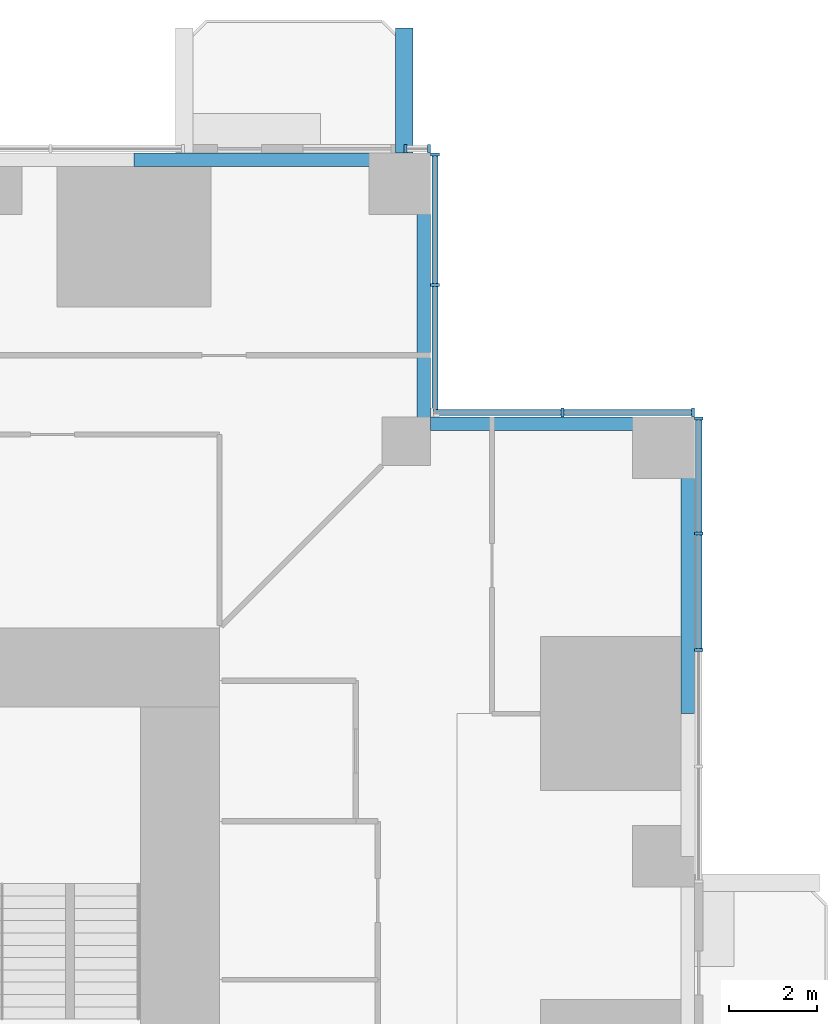
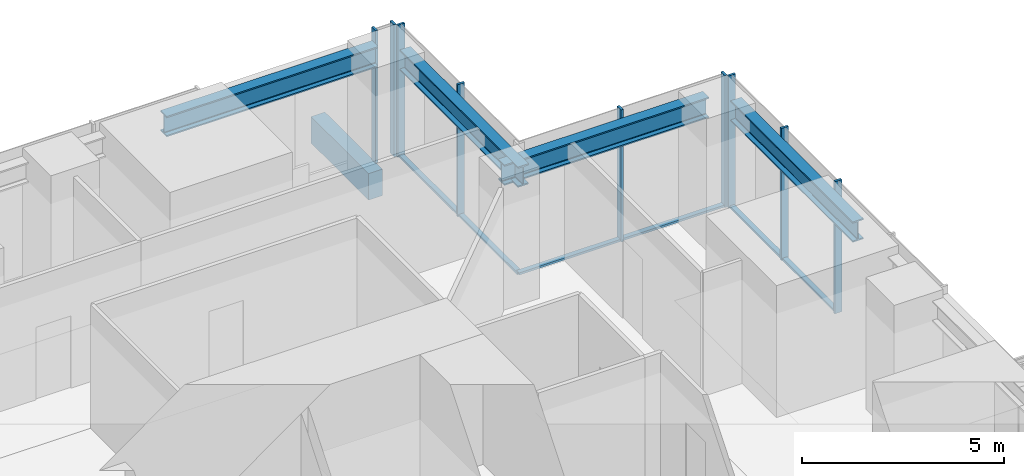
# One storey, part 6 of 18: 15 members, 5 beams, 4 elements without a shape of their own.
"""IFC4 building model written with IfcOpenShell, lengths in metres."""

from ifc_helpers import new_model, si_unit, direction, frame, origin, origin_2d, place, context, subcontext, project, spatial, rectangle, i_section, extrude, material, material_profile, profile_set, type_object, element, aggregate, save


model = new_model("IFC4")

# Units and contexts
model_context = context("Model", 3, precision=1e-05, world=origin(), true_north=direction((0.0, 1.0)))
body_context = subcontext(model_context, "Body", "Model", "MODEL_VIEW")
ifc_project = project(units=[si_unit("LENGTHUNIT", "METRE"), si_unit("AREAUNIT", "SQUARE_METRE"), si_unit("VOLUMEUNIT", "CUBIC_METRE"), si_unit("PLANEANGLEUNIT", "RADIAN"), si_unit("MASSUNIT", "GRAM", prefix="KILO")], contexts=[model_context])

# Site, building, storey
site_placement = place(None, origin())
site = spatial("IfcSite", under=ifc_project, at=site_placement, CompositionType="ELEMENT")
building_placement = place(site_placement, origin())
building = spatial("IfcBuilding", under=site, at=building_placement, Name="Svetlomir Tower", CompositionType="ELEMENT")
storey_placement = place(building_placement, frame((0.0, 0.0, 54.5)))
storey = spatial("IfcBuildingStorey", under=building, at=storey_placement, Name="L12", CompositionType="ELEMENT", Elevation=54.5)

# Beam
ifc_material_1 = material(Name="Concrete C60/75", Category="concrete")
ifc_material_profile_1 = material_profile(ifc_material_1, rectangle(XDim=0.39990234375, YDim=0.800048828125, at=origin_2d()), Name="RC 400x800")
ifc_profile_set_1 = profile_set([ifc_material_profile_1], Name="Concrete C60/75")
beam_type_1 = type_object("IfcBeamType", Name="BALCONY RIB RC 400x800", PredefinedType="BEAM", material=ifc_profile_set_1)
beam_placement = place(storey_placement, frame((35.39990234375, 42.0, -0.64990234375), z_axis=(0.0, 1.0, 0.0), x_axis=(-1.0, 0.0, 0.0)))
element("IfcBeam", 1, at=beam_placement, inside=storey, type_object=beam_type_1, Name="Balcony rib N 2 L12", PredefinedType="BEAM", context=body_context, shape_type="SweptSolid", body=[
    extrude(rectangle(XDim=0.39990234375, YDim=0.800048828125, at=origin_2d()), origin(), (0.0, 0.0, 1.0), 2.85009765625),
])

# Curtain wall, members
ifc_material_2 = material(Name="Bronze anodised aluminium curtain wall", Category="aluminium")
curtain_wall_type = type_object("IfcCurtainWallType", Name="CURTAIN WALL CW1 TOWER OFFICE", PredefinedType="NOTDEFINED", material=ifc_material_2)
curtain_wall_1_placement = place(storey_placement, origin())
curtain_wall_1 = element("IfcCurtainWall", 2, at=curtain_wall_1_placement, inside=storey, type_object=curtain_wall_type, Name="Curtain wall CW1 L12", PredefinedType="NOTDEFINED")
ifc_material_3 = material(Name="Bronze anodised aluminium", Category="aluminium")
ifc_material_profile_2 = material_profile(ifc_material_3, rectangle(XDim=0.06494140625, YDim=0.199951171875, at=origin_2d()), Name="AL 65x200")
ifc_profile_set_2 = profile_set([ifc_material_profile_2], Name="Bronze anodised aluminium 6063-T6")
member_type_1 = type_object("IfcMemberType", Name="CW1 MULLION 65x200", PredefinedType="MULLION", material=ifc_profile_set_2)
member_1_placement = place(storey_placement, frame((42.10009765625, 30.699951171875, 0.0), z_axis=(0.0, 0.0, 1.0), x_axis=(0.0, 1.0, 0.0)))
member_1 = element("IfcMember", 3, at=member_1_placement, type_object=member_type_1, Name="CW1 mullion 3", PredefinedType="MULLION", context=body_context, shape_type="SweptSolid", body=[
    extrude(rectangle(XDim=0.06494140625, YDim=0.199951171875, at=origin_2d()), origin(), (0.0, 0.0, 1.0), 4.0),
])
member_2_placement = place(storey_placement, frame((42.10009765625, 33.35009765625, 0.0), z_axis=(0.0, 0.0, 1.0), x_axis=(0.0, 1.0, 0.0)))
member_2 = element("IfcMember", 4, at=member_2_placement, type_object=member_type_1, Name="CW1 mullion 4", PredefinedType="MULLION", context=body_context, shape_type="SweptSolid", body=[
    extrude(rectangle(XDim=0.06494140625, YDim=0.199951171875, at=origin_2d()), origin(), (0.0, 0.0, 1.0), 4.0),
])
member_3_placement = place(storey_placement, frame((42.10009765625, 35.967529296875, 0.0), z_axis=(0.0, 0.0, 1.0), x_axis=(0.0, 1.0, 0.0)))
member_3 = element("IfcMember", 5, at=member_3_placement, type_object=member_type_1, Name="CW1 mullion 5", PredefinedType="MULLION", context=body_context, shape_type="SweptSolid", body=[
    extrude(rectangle(XDim=0.06494140625, YDim=0.199951171875, at=origin_2d()), origin(), (0.0, 0.0, 1.0), 4.0),
])

curtain_wall_2_placement = place(storey_placement, origin())
curtain_wall_2 = element("IfcCurtainWall", 6, at=curtain_wall_2_placement, inside=storey, type_object=curtain_wall_type, Name="Curtain wall CW1 L12", PredefinedType="NOTDEFINED")
member_4_placement = place(storey_placement, frame((41.967529296875, 36.10009765625, 0.0), z_axis=(0.0, 0.0, 1.0), x_axis=(-1.0, 0.0, 0.0)))
member_4 = element("IfcMember", 7, at=member_4_placement, type_object=member_type_1, Name="CW1 mullion 1", PredefinedType="MULLION", context=body_context, shape_type="SweptSolid", body=[
    extrude(rectangle(XDim=0.06494140625, YDim=0.199951171875, at=origin_2d()), origin(), (0.0, 0.0, 1.0), 4.0),
])
member_5_placement = place(storey_placement, frame((39.0, 36.10009765625, 0.0), z_axis=(0.0, 0.0, 1.0), x_axis=(-1.0, 0.0, 0.0)))
member_5 = element("IfcMember", 8, at=member_5_placement, type_object=member_type_1, Name="CW1 mullion 2", PredefinedType="MULLION", context=body_context, shape_type="SweptSolid", body=[
    extrude(rectangle(XDim=0.06494140625, YDim=0.199951171875, at=origin_2d()), origin(), (0.0, 0.0, 1.0), 4.0),
])

curtain_wall_3_placement = place(storey_placement, origin())
curtain_wall_3 = element("IfcCurtainWall", 9, at=curtain_wall_3_placement, inside=storey, type_object=curtain_wall_type, Name="Curtain wall CW1 L12", PredefinedType="NOTDEFINED")
member_6_placement = place(storey_placement, frame((36.10009765625, 39.0, 0.0), z_axis=(0.0, 0.0, 1.0), x_axis=(0.0, 1.0, 0.0)))
member_6 = element("IfcMember", 10, at=member_6_placement, type_object=member_type_1, Name="CW1 mullion 2", PredefinedType="MULLION", context=body_context, shape_type="SweptSolid", body=[
    extrude(rectangle(XDim=0.06494140625, YDim=0.199951171875, at=origin_2d()), origin(), (0.0, 0.0, 1.0), 4.0),
])
member_7_placement = place(storey_placement, frame((36.10009765625, 41.967529296875, 0.0), z_axis=(0.0, 0.0, 1.0), x_axis=(0.0, 1.0, 0.0)))
member_7 = element("IfcMember", 11, at=member_7_placement, type_object=member_type_1, Name="CW1 mullion 3", PredefinedType="MULLION", context=body_context, shape_type="SweptSolid", body=[
    extrude(rectangle(XDim=0.06494140625, YDim=0.199951171875, at=origin_2d()), origin(), (0.0, 0.0, 1.0), 4.0),
])

curtain_wall_4_placement = place(storey_placement, origin())
curtain_wall_4 = element("IfcCurtainWall", 12, at=curtain_wall_4_placement, inside=storey, type_object=curtain_wall_type, Name="Curtain wall CW1 L12", PredefinedType="NOTDEFINED")
member_8_placement = place(storey_placement, frame((35.967529296875, 42.10009765625, 0.0), z_axis=(0.0, 0.0, 1.0), x_axis=(-1.0, 0.0, 0.0)))
member_8 = element("IfcMember", 13, at=member_8_placement, type_object=member_type_1, Name="CW1 mullion 1", PredefinedType="MULLION", context=body_context, shape_type="SweptSolid", body=[
    extrude(rectangle(XDim=0.06494140625, YDim=0.199951171875, at=origin_2d()), origin(), (0.0, 0.0, 1.0), 4.0),
])
member_9_placement = place(storey_placement, frame((35.4326171875, 42.10009765625, 0.0), z_axis=(0.0, 0.0, 1.0), x_axis=(-1.0, 0.0, 0.0)))
member_9 = element("IfcMember", 14, at=member_9_placement, type_object=member_type_1, Name="CW1 mullion 2", PredefinedType="MULLION", context=body_context, shape_type="SweptSolid", body=[
    extrude(rectangle(XDim=0.06494140625, YDim=0.199951171875, at=origin_2d()), origin(), (0.0, 0.0, 1.0), 4.0),
])
aggregate(curtain_wall_4, [member_8, member_9])

# Member
ifc_material_4 = material(Name="Bronze anodised aluminium", Category="aluminium")
ifc_material_profile_3 = material_profile(ifc_material_4, rectangle(XDim=0.139892578125, YDim=0.06494140625, at=origin_2d()), Name="AL 140x65")
ifc_profile_set_3 = profile_set([ifc_material_profile_3], Name="Bronze anodised aluminium 6063-T6")
member_type_2 = type_object("IfcMemberType", Name="CW1 TRANSOM 65x140", PredefinedType="USERDEFINED", material=ifc_profile_set_3)
member_10_placement = place(storey_placement, frame((42.10009765625, 30.732421875, 0.032470703125), z_axis=(0.0, 1.0, 0.0), x_axis=(-1.0, 0.0, 0.0)))
member_10 = element("IfcMember", 15, at=member_10_placement, type_object=member_type_2, Name="CW1 transom 3.1", ObjectType="TRANSOM", PredefinedType="USERDEFINED", context=body_context, shape_type="SweptSolid", body=[
    extrude(rectangle(XDim=0.139892578125, YDim=0.06494140625, at=origin_2d()), origin(), (0.0, 0.0, 1.0), 2.5849609375),
])

member_11_placement = place(storey_placement, frame((42.10009765625, 33.382568359375, 0.032470703125), z_axis=(0.0, 1.0, 0.0), x_axis=(-1.0, 0.0, 0.0)))
member_11 = element("IfcMember", 16, at=member_11_placement, type_object=member_type_2, Name="CW1 transom 4.1", ObjectType="TRANSOM", PredefinedType="USERDEFINED", context=body_context, shape_type="SweptSolid", body=[
    extrude(rectangle(XDim=0.139892578125, YDim=0.06494140625, at=origin_2d()), origin(), (0.0, 0.0, 1.0), 2.552490234375),
])

aggregate(curtain_wall_1, [member_1, member_2, member_3, member_10, member_11])

member_12_placement = place(storey_placement, frame((41.93505859375, 36.10009765625, 0.032470703125), z_axis=(-1.0, 0.0, 0.0), x_axis=(0.0, -1.0, 0.0)))
member_12 = element("IfcMember", 17, at=member_12_placement, type_object=member_type_2, Name="CW1 transom 1.1", ObjectType="TRANSOM", PredefinedType="USERDEFINED", context=body_context, shape_type="SweptSolid", body=[
    extrude(rectangle(XDim=0.139892578125, YDim=0.06494140625, at=origin_2d()), origin(), (0.0, 0.0, 1.0), 2.902587890625),
])

member_13_placement = place(storey_placement, frame((38.967529296875, 36.10009765625, 0.032470703125), z_axis=(-1.0, 0.0, 0.0), x_axis=(0.0, -1.0, 0.0)))
member_13 = element("IfcMember", 18, at=member_13_placement, type_object=member_type_2, Name="CW1 transom 2.1", ObjectType="TRANSOM", PredefinedType="USERDEFINED", context=body_context, shape_type="SweptSolid", body=[
    extrude(rectangle(XDim=0.139892578125, YDim=0.06494140625, at=origin_2d()), origin(), (0.0, 0.0, 1.0), 2.902587890625),
])

aggregate(curtain_wall_2, [member_4, member_5, member_12, member_13])

member_14_placement = place(storey_placement, frame((36.10009765625, 36.06494140625, 0.032470703125), z_axis=(0.0, 1.0, 0.0), x_axis=(-1.0, 0.0, 0.0)))
member_14 = element("IfcMember", 19, at=member_14_placement, type_object=member_type_2, Name="CW1 transom 1.1", ObjectType="TRANSOM", PredefinedType="USERDEFINED", context=body_context, shape_type="SweptSolid", body=[
    extrude(rectangle(XDim=0.139892578125, YDim=0.06494140625, at=origin_2d()), origin(), (0.0, 0.0, 1.0), 2.902587890625),
])

member_15_placement = place(storey_placement, frame((36.10009765625, 39.032470703125, 0.032470703125), z_axis=(0.0, 1.0, 0.0), x_axis=(-1.0, 0.0, 0.0)))
member_15 = element("IfcMember", 20, at=member_15_placement, type_object=member_type_2, Name="CW1 transom 2.1", ObjectType="TRANSOM", PredefinedType="USERDEFINED", context=body_context, shape_type="SweptSolid", body=[
    extrude(rectangle(XDim=0.139892578125, YDim=0.06494140625, at=origin_2d()), origin(), (0.0, 0.0, 1.0), 2.902587890625),
])

aggregate(curtain_wall_3, [member_6, member_7, member_14, member_15])

# Beams
ifc_material_5 = material(Name="Steel S355", Category="steel")
ifc_material_profile_4 = material_profile(ifc_material_5, i_section(OverallWidth=0.304931640625, OverallDepth=0.6201171875, WebThickness=0.02099609375, FlangeThickness=0.0400390625, FilletRadius=0.027099609375, at=origin_2d()), Name="HEM 600")
ifc_profile_set_4 = profile_set([ifc_material_profile_4], Name="Steel S355")
beam_type_2 = type_object("IfcBeamType", Name="EDGE BEAM HEM 600", PredefinedType="SPANDREL", material=ifc_profile_set_4)
for number, where, z_axis, x_axis, name in (
    (21, (41.847412109375, 29.25, 3.43994140625), (0.0, 1.0, 0.0), (-1.0, 0.0, 0.0), "Edge beam 42/31 to 42/36 under L13"),
    (22, (29.25, 41.847412109375, 3.43994140625), (1.0, 0.0, 0.0), (0.0, 1.0, 0.0), "Edge beam 31/42 to 36/42 under L13"),
):
    element("IfcBeam", number, at=place(storey_placement, frame(where, z_axis=z_axis, x_axis=x_axis)), inside=storey, type_object=beam_type_2, Name=name, PredefinedType="SPANDREL", context=body_context, shape_type="SweptSolid", body=[
        extrude(i_section(OverallWidth=0.304931640625, OverallDepth=0.6201171875, WebThickness=0.02099609375, FlangeThickness=0.0400390625, FilletRadius=0.027099609375, at=origin_2d()), origin(), (0.0, 0.0, 1.0), 6.050048828125),
    ])
for number, where, z_axis, x_axis, name in (
    (23, (35.847412109375, 41.300048828125, 3.43994140625), (0.0, -1.0, 0.0), (1.0, 0.0, 0.0), "Edge beam 36/42 to 36/36 under L13"),
    (24, (41.300048828125, 35.847412109375, 3.43994140625), (-1.0, 0.0, 0.0), (0.0, -1.0, 0.0), "Edge beam 42/36 to 36/36 under L13"),
):
    element("IfcBeam", number, at=place(storey_placement, frame(where, z_axis=z_axis, x_axis=x_axis)), inside=storey, type_object=beam_type_2, Name=name, PredefinedType="SPANDREL", context=body_context, shape_type="SweptSolid", body=[
        extrude(i_section(OverallWidth=0.304931640625, OverallDepth=0.6201171875, WebThickness=0.02099609375, FlangeThickness=0.0400390625, FilletRadius=0.027099609375, at=origin_2d()), origin(), (0.0, 0.0, 1.0), 5.85009765625),
    ])

save(model, "model.ifc")
